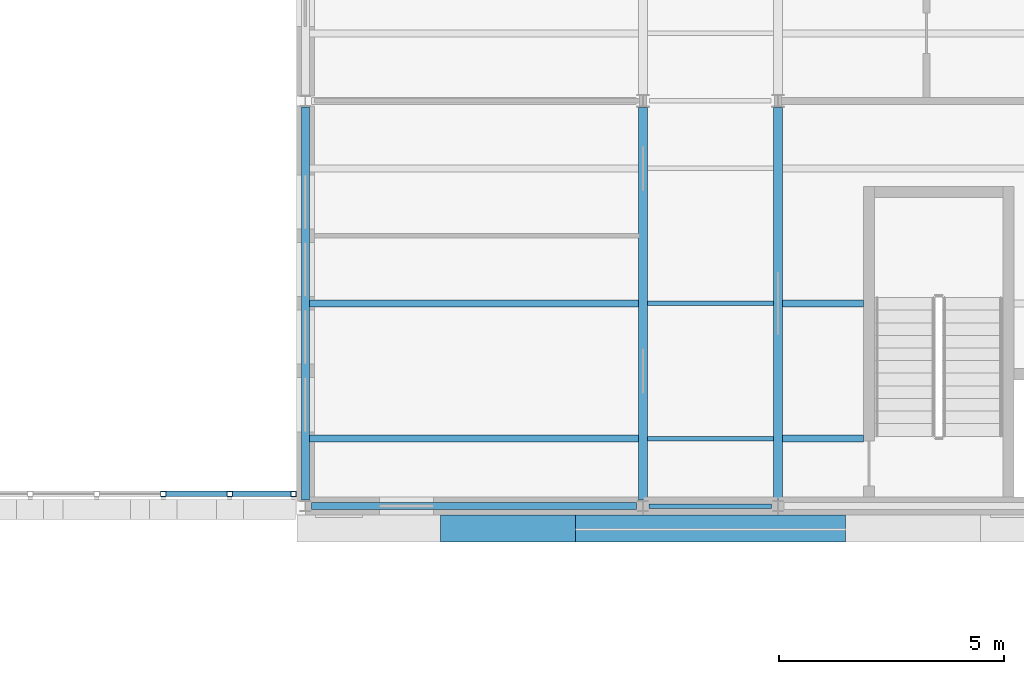
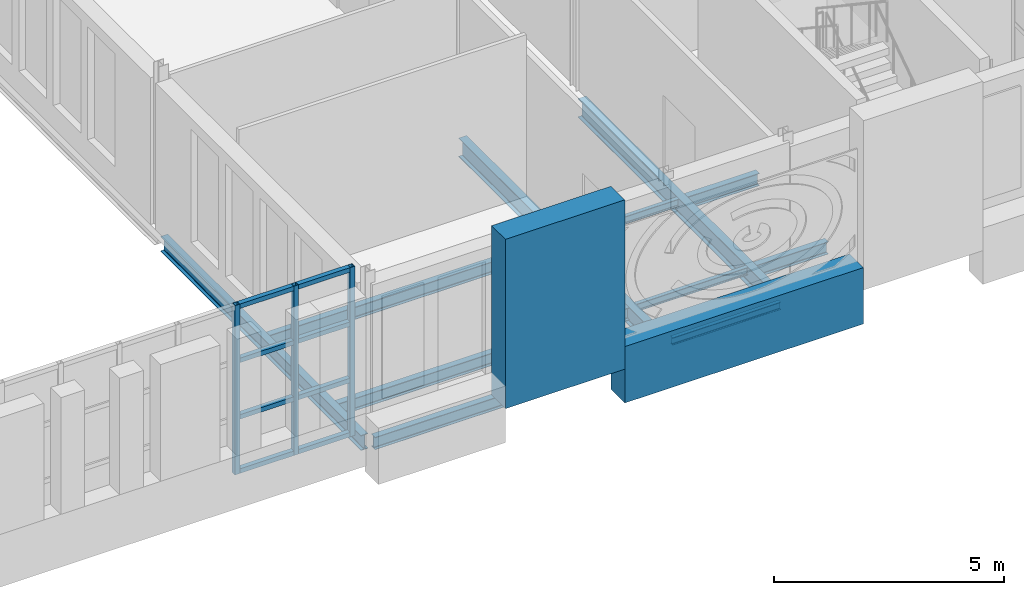
# One storey, part 32 of 131: 12 beams, 12 members, 1 element without a shape of its own.
"""IFC4 building model written with IfcOpenShell, lengths in metres."""

from ifc_helpers import new_model, si_unit, direction, frame, origin, origin_2d, place, context, subcontext, project, spatial, rectangle, hollow_rectangle, i_section, extrude, material, material_profile, profile_set, type_object, element, aggregate, save


model = new_model("IFC4")

# Units and contexts
model_context = context("Model", 3, precision=1e-05, world=origin(), true_north=direction((0.0, 1.0)))
body_context = subcontext(model_context, "Body", "Model", "MODEL_VIEW")
ifc_project = project(units=[si_unit("LENGTHUNIT", "METRE"), si_unit("AREAUNIT", "SQUARE_METRE"), si_unit("VOLUMEUNIT", "CUBIC_METRE"), si_unit("PLANEANGLEUNIT", "RADIAN"), si_unit("MASSUNIT", "GRAM", prefix="KILO")], contexts=[model_context])

# Site, building, storey
site_placement = place(None, origin())
site = spatial("IfcSite", under=ifc_project, at=site_placement, CompositionType="ELEMENT")
building_placement = place(site_placement, origin())
building = spatial("IfcBuilding", under=site, at=building_placement, Name="Golden Quay Civic Hall", CompositionType="ELEMENT")
storey_placement = place(building_placement, frame((0.0, 0.0, 9.89990234375)))
storey = spatial("IfcBuildingStorey", under=building, at=storey_placement, Name="L02", CompositionType="ELEMENT", Elevation=9.89990234375)

# Member
ifc_material_1 = material(Name="Concrete C40/50", Category="concrete")
ifc_material_profile_1 = material_profile(ifc_material_1, rectangle(XDim=3.0, YDim=0.60009765625, at=origin_2d()), Name="RC 3000x600")
ifc_profile_set_1 = profile_set([ifc_material_profile_1], Name="Concrete C40/50")
member_type_1 = type_object("IfcMemberType", Name="Precast concrete facade pier 3000 x 600", PredefinedType="POST", material=ifc_profile_set_1)
member_1_placement = place(storey_placement, frame((103.5, -0.5, 0.0), z_axis=(0.0, 0.0, 1.0), x_axis=(1.0, 0.0, 0.0)))
element("IfcMember", 1, at=member_1_placement, inside=storey, type_object=member_type_1, Name="Precast concrete facade pier 3000 x 600 L02 33", PredefinedType="POST", context=body_context, shape_type="SweptSolid", body=[
    extrude(rectangle(XDim=3.0, YDim=0.60009765625, at=origin_2d()), origin(), (0.0, 0.0, 1.0), 4.5),
])

# Beams
ifc_material_2 = material(Name="Concrete C40/50", Category="concrete")
ifc_material_profile_2 = material_profile(ifc_material_2, rectangle(XDim=0.60009765625, YDim=1.5, at=origin_2d()), Name="RC 600x1500")
ifc_profile_set_2 = profile_set([ifc_material_profile_2], Name="Concrete C40/50")
beam_type_1 = type_object("IfcBeamType", Name="Precast concrete spandrel beam 600 x 1500", PredefinedType="SPANDREL", material=ifc_profile_set_2)
beam_1_placement = place(storey_placement, frame((105.0, -0.5, -0.14990234375), z_axis=(1.0, 0.0, 0.0), x_axis=(0.0, 1.0, 0.0)))
element("IfcBeam", 2, at=beam_1_placement, inside=storey, type_object=beam_type_1, Name="Precast concrete spandrel beam 600 x 1500 L02 30", PredefinedType="SPANDREL", context=body_context, shape_type="SweptSolid", body=[
    extrude(rectangle(XDim=0.60009765625, YDim=1.5, at=origin_2d()), origin(), (0.0, 0.0, 1.0), 6.0),
])
ifc_material_3 = material(Name="Steel S355", Category="steel")
ifc_material_profile_3 = material_profile(ifc_material_3, i_section(OverallWidth=0.10009765625, OverallDepth=0.199951171875, WebThickness=0.005615234375, FlangeThickness=0.008544921875, FilletRadius=0.011962890625, at=origin_2d()), Name="IPE 200")
ifc_profile_set_3 = profile_set([ifc_material_profile_3], Name="Steel S355")
beam_type_2 = type_object("IfcBeamType", Name="Steel beam IPE 200", PredefinedType="BEAM", material=ifc_profile_set_3)
beam_2_placement = place(storey_placement, frame((106.639892578125, 0.0, -0.2998046875), z_axis=(1.0, 0.0, 0.0), x_axis=(0.0, 1.0, 0.0)))
element("IfcBeam", 3, at=beam_2_placement, inside=storey, type_object=beam_type_2, Name="Beam S0-106.5", PredefinedType="BEAM", context=body_context, shape_type="SweptSolid", body=[
    extrude(i_section(OverallWidth=0.10009765625, OverallDepth=0.199951171875, WebThickness=0.005615234375, FlangeThickness=0.008544921875, FilletRadius=0.011962890625, at=origin_2d()), origin(), (0.0, 0.0, 1.0), 2.72021484375),
])
ifc_material_4 = material(Name="Steel S355", Category="steel")
ifc_material_profile_4 = material_profile(ifc_material_4, i_section(OverallWidth=0.159912109375, OverallDepth=0.330078125, WebThickness=0.007568359375, FlangeThickness=0.011474609375, FilletRadius=0.01806640625, at=origin_2d()), Name="IPE 330")
ifc_profile_set_4 = profile_set([ifc_material_profile_4], Name="Steel S355")
beam_type_3 = type_object("IfcBeamType", Name="Steel beam IPE 330", PredefinedType="BEAM", material=ifc_profile_set_4)
beam_3_placement = place(storey_placement, frame((99.139892578125, 0.0, -0.364990234375), z_axis=(1.0, 0.0, 0.0), x_axis=(0.0, 1.0, 0.0)))
element("IfcBeam", 4, at=beam_3_placement, inside=storey, type_object=beam_type_3, Name="Beam S0-99", PredefinedType="BEAM", context=body_context, shape_type="SweptSolid", body=[
    extrude(i_section(OverallWidth=0.159912109375, OverallDepth=0.330078125, WebThickness=0.007568359375, FlangeThickness=0.011474609375, FilletRadius=0.01806640625, at=origin_2d()), origin(), (0.0, 0.0, 1.0), 7.22021484375),
])
ifc_material_5 = material(Name="Steel S355", Category="steel")
ifc_material_profile_5 = material_profile(ifc_material_5, i_section(OverallWidth=0.179931640625, OverallDepth=0.39990234375, WebThickness=0.008544921875, FlangeThickness=0.013427734375, FilletRadius=0.02099609375, at=origin_2d()), Name="IPE 400")
ifc_profile_set_5 = profile_set([ifc_material_profile_5], Name="Steel S355")
beam_type_4 = type_object("IfcBeamType", Name="Steel beam IPE 400", PredefinedType="BEAM", material=ifc_profile_set_5)
beam_4_placement = place(storey_placement, frame((99.0, 0.135009765625, -0.39990234375), z_axis=(0.0, 1.0, 0.0), x_axis=(-1.0, 0.0, 0.0)))
element("IfcBeam", 5, at=beam_4_placement, inside=storey, type_object=beam_type_4, Name="Beam L99-0", PredefinedType="BEAM", context=body_context, shape_type="SweptSolid", body=[
    extrude(i_section(OverallWidth=0.179931640625, OverallDepth=0.39990234375, WebThickness=0.008544921875, FlangeThickness=0.013427734375, FilletRadius=0.02099609375, at=origin_2d()), origin(), (0.0, 0.0, 1.0), 8.72998046875),
])
ifc_material_6 = material(Name="Steel S355", Category="steel")
ifc_material_profile_6 = material_profile(ifc_material_6, i_section(OverallWidth=0.199951171875, OverallDepth=0.5, WebThickness=0.01025390625, FlangeThickness=0.01611328125, FilletRadius=0.02099609375, at=origin_2d()), Name="IPE 500")
ifc_profile_set_6 = profile_set([ifc_material_profile_6], Name="Steel S355")
beam_type_5 = type_object("IfcBeamType", Name="Steel beam IPE 500", PredefinedType="BEAM", material=ifc_profile_set_6)
for number, where, z_axis, x_axis, name in (
    (6, (106.5, 0.135009765625, -0.449951171875), (0.0, 1.0, 0.0), (-1.0, 0.0, 0.0), "Beam L106.5-0"),
    (7, (109.5, 0.135009765625, -0.449951171875), (0.0, 1.0, 0.0), (-1.0, 0.0, 0.0), "Beam L109.5-0"),
):
    element("IfcBeam", number, at=place(storey_placement, frame(where, z_axis=z_axis, x_axis=x_axis)), inside=storey, type_object=beam_type_5, Name=name, PredefinedType="BEAM", context=body_context, shape_type="SweptSolid", body=[
        extrude(i_section(OverallWidth=0.199951171875, OverallDepth=0.5, WebThickness=0.01025390625, FlangeThickness=0.01611328125, FilletRadius=0.02099609375, at=origin_2d()), origin(), (0.0, 0.0, 1.0), 8.719970703125),
    ])
ifc_material_7 = material(Name="Steel S355", Category="steel")
ifc_material_profile_7 = material_profile(ifc_material_7, i_section(OverallWidth=0.10009765625, OverallDepth=0.199951171875, WebThickness=0.005615234375, FlangeThickness=0.008544921875, FilletRadius=0.011962890625, at=origin_2d()), Name="IPE 200")
ifc_profile_set_7 = profile_set([ifc_material_profile_7], Name="Steel S355")
beam_type_6 = type_object("IfcBeamType", Name="Steel joist IPE 200", PredefinedType="JOIST", material=ifc_profile_set_7)
for number, where, z_axis, x_axis, name in (
    (8, (106.60009765625, 1.5, -0.2998046875), (1.0, 0.0, 0.0), (0.0, 1.0, 0.0), "Joist J1.5-106.5"),
    (9, (106.60009765625, 4.5, -0.2998046875), (1.0, 0.0, 0.0), (0.0, 1.0, 0.0), "Joist J4.5-106.5"),
):
    element("IfcBeam", number, at=place(storey_placement, frame(where, z_axis=z_axis, x_axis=x_axis)), inside=storey, type_object=beam_type_6, Name=name, PredefinedType="JOIST", context=body_context, shape_type="SweptSolid", body=[
        extrude(i_section(OverallWidth=0.10009765625, OverallDepth=0.199951171875, WebThickness=0.005615234375, FlangeThickness=0.008544921875, FilletRadius=0.011962890625, at=origin_2d()), origin(), (0.0, 0.0, 1.0), 2.7998046875),
    ])
ifc_material_8 = material(Name="Steel S355", Category="steel")
ifc_material_profile_8 = material_profile(ifc_material_8, i_section(OverallWidth=0.159912109375, OverallDepth=0.330078125, WebThickness=0.007568359375, FlangeThickness=0.011474609375, FilletRadius=0.01806640625, at=origin_2d()), Name="IPE 330")
ifc_profile_set_8 = profile_set([ifc_material_profile_8], Name="Steel S355")
beam_type_7 = type_object("IfcBeamType", Name="Steel joist IPE 330", PredefinedType="JOIST", material=ifc_profile_set_8)
beam_5_placement = place(storey_placement, frame((99.090087890625, 1.5, -0.364990234375), z_axis=(1.0, 0.0, 0.0), x_axis=(0.0, 1.0, 0.0)))
element("IfcBeam", 10, at=beam_5_placement, inside=storey, type_object=beam_type_7, Name="Joist J1.5-99", PredefinedType="JOIST", context=body_context, shape_type="SweptSolid", body=[
    extrude(i_section(OverallWidth=0.159912109375, OverallDepth=0.330078125, WebThickness=0.007568359375, FlangeThickness=0.011474609375, FilletRadius=0.01806640625, at=origin_2d()), origin(), (0.0, 0.0, 1.0), 7.309814453125),
])
beam_6_placement = place(storey_placement, frame((109.60009765625, 1.5, -0.364990234375), z_axis=(1.0, 0.0, 0.0), x_axis=(0.0, 1.0, 0.0)))
element("IfcBeam", 11, at=beam_6_placement, inside=storey, type_object=beam_type_7, Name="Joist J1.5-109.5-0", PredefinedType="JOIST", context=body_context, shape_type="SweptSolid", body=[
    extrude(i_section(OverallWidth=0.159912109375, OverallDepth=0.330078125, WebThickness=0.007568359375, FlangeThickness=0.011474609375, FilletRadius=0.01806640625, at=origin_2d()), origin(), (0.0, 0.0, 1.0), 1.7998046875),
])
beam_7_placement = place(storey_placement, frame((99.090087890625, 4.5, -0.364990234375), z_axis=(1.0, 0.0, 0.0), x_axis=(0.0, 1.0, 0.0)))
element("IfcBeam", 12, at=beam_7_placement, inside=storey, type_object=beam_type_7, Name="Joist J4.5-99", PredefinedType="JOIST", context=body_context, shape_type="SweptSolid", body=[
    extrude(i_section(OverallWidth=0.159912109375, OverallDepth=0.330078125, WebThickness=0.007568359375, FlangeThickness=0.011474609375, FilletRadius=0.01806640625, at=origin_2d()), origin(), (0.0, 0.0, 1.0), 7.309814453125),
])
beam_8_placement = place(storey_placement, frame((109.60009765625, 4.5, -0.364990234375), z_axis=(1.0, 0.0, 0.0), x_axis=(0.0, 1.0, 0.0)))
element("IfcBeam", 13, at=beam_8_placement, inside=storey, type_object=beam_type_7, Name="Joist J4.5-109.5-0", PredefinedType="JOIST", context=body_context, shape_type="SweptSolid", body=[
    extrude(i_section(OverallWidth=0.159912109375, OverallDepth=0.330078125, WebThickness=0.007568359375, FlangeThickness=0.011474609375, FilletRadius=0.01806640625, at=origin_2d()), origin(), (0.0, 0.0, 1.0), 1.7998046875),
])

# Curtain wall, members
ifc_material_9 = material(Name="Glass and aluminium", Category="aluminium")
curtain_wall_type = type_object("IfcCurtainWallType", Name="Glazed curtain wall 1500 module", PredefinedType="NOTDEFINED", material=ifc_material_9)
curtain_wall_placement = place(storey_placement, origin())
curtain_wall = element("IfcCurtainWall", 14, at=curtain_wall_placement, inside=storey, type_object=curtain_wall_type, Name="CW1 curtain wall", PredefinedType="NOTDEFINED")
ifc_material_10 = material(Name="Steel S355", Category="steel")
ifc_material_profile_9 = material_profile(ifc_material_10, hollow_rectangle(XDim=0.1201171875, YDim=0.1201171875, WallThickness=0.008056640625, at=origin_2d()), Name="SHS 120x120x8")
ifc_profile_set_9 = profile_set([ifc_material_profile_9], Name="Steel S355")
member_type_2 = type_object("IfcMemberType", Name="Steel mullion SHS 120x120x8", PredefinedType="MULLION", material=ifc_profile_set_9)
member_2_placement = place(storey_placement, frame((95.844482421875, 0.27001953125, -0.199951171875), z_axis=(0.0, 0.0, 1.0), x_axis=(0.0, 1.0, 0.0)))
member_2 = element("IfcMember", 15, at=member_2_placement, type_object=member_type_2, Name="CW1 mullion 17", PredefinedType="MULLION", context=body_context, shape_type="SweptSolid", body=[
    extrude(hollow_rectangle(XDim=0.1201171875, YDim=0.1201171875, WallThickness=0.008056640625, at=origin_2d()), origin(), (0.0, 0.0, 1.0), 4.5),
])
member_3_placement = place(storey_placement, frame((97.322265625, 0.27001953125, -0.199951171875), z_axis=(0.0, 0.0, 1.0), x_axis=(0.0, 1.0, 0.0)))
member_3 = element("IfcMember", 16, at=member_3_placement, type_object=member_type_2, Name="CW1 mullion 18", PredefinedType="MULLION", context=body_context, shape_type="SweptSolid", body=[
    extrude(hollow_rectangle(XDim=0.1201171875, YDim=0.1201171875, WallThickness=0.008056640625, at=origin_2d()), origin(), (0.0, 0.0, 1.0), 4.5),
])
member_4_placement = place(storey_placement, frame((98.739990234375, 0.27001953125, -0.199951171875), z_axis=(0.0, 0.0, 1.0), x_axis=(0.0, 1.0, 0.0)))
member_4 = element("IfcMember", 17, at=member_4_placement, type_object=member_type_2, Name="CW1 mullion 19", PredefinedType="MULLION", context=body_context, shape_type="SweptSolid", body=[
    extrude(hollow_rectangle(XDim=0.1201171875, YDim=0.1201171875, WallThickness=0.008056640625, at=origin_2d()), origin(), (0.0, 0.0, 1.0), 4.5),
])
ifc_material_11 = material(Name="Steel S355", Category="steel")
ifc_material_profile_10 = material_profile(ifc_material_11, hollow_rectangle(XDim=0.1201171875, YDim=0.1201171875, WallThickness=0.008056640625, at=origin_2d()), Name="SHS 120x120x8")
ifc_profile_set_10 = profile_set([ifc_material_profile_10], Name="Steel S355")
member_type_3 = type_object("IfcMemberType", Name="Steel transom SHS 120x120x8", PredefinedType="USERDEFINED", material=ifc_profile_set_10)
member_5_placement = place(storey_placement, frame((95.904541015625, 0.27001953125, -0.139892578125), z_axis=(1.0, 0.0, 0.0), x_axis=(0.0, 1.0, 0.0)))
member_5 = element("IfcMember", 18, at=member_5_placement, type_object=member_type_3, Name="CW1 transom 17.1", ObjectType="TRANSOM", PredefinedType="USERDEFINED", context=body_context, shape_type="SweptSolid", body=[
    extrude(hollow_rectangle(XDim=0.1201171875, YDim=0.1201171875, WallThickness=0.008056640625, at=origin_2d()), origin(), (0.0, 0.0, 1.0), 1.357666015625),
])
member_6_placement = place(storey_placement, frame((95.904541015625, 0.27001953125, 1.300048828125), z_axis=(1.0, 0.0, 0.0), x_axis=(0.0, 1.0, 0.0)))
member_6 = element("IfcMember", 19, at=member_6_placement, type_object=member_type_3, Name="CW1 transom 17.2", ObjectType="TRANSOM", PredefinedType="USERDEFINED", context=body_context, shape_type="SweptSolid", body=[
    extrude(hollow_rectangle(XDim=0.1201171875, YDim=0.1201171875, WallThickness=0.008056640625, at=origin_2d()), origin(), (0.0, 0.0, 1.0), 1.357666015625),
])
member_7_placement = place(storey_placement, frame((95.904541015625, 0.27001953125, 2.800048828125), z_axis=(1.0, 0.0, 0.0), x_axis=(0.0, 1.0, 0.0)))
member_7 = element("IfcMember", 20, at=member_7_placement, type_object=member_type_3, Name="CW1 transom 17.3", ObjectType="TRANSOM", PredefinedType="USERDEFINED", context=body_context, shape_type="SweptSolid", body=[
    extrude(hollow_rectangle(XDim=0.1201171875, YDim=0.1201171875, WallThickness=0.008056640625, at=origin_2d()), origin(), (0.0, 0.0, 1.0), 1.357666015625),
])
member_8_placement = place(storey_placement, frame((95.904541015625, 0.27001953125, 4.239990234375), z_axis=(1.0, 0.0, 0.0), x_axis=(0.0, 1.0, 0.0)))
member_8 = element("IfcMember", 21, at=member_8_placement, type_object=member_type_3, Name="CW1 transom 17.4", ObjectType="TRANSOM", PredefinedType="USERDEFINED", context=body_context, shape_type="SweptSolid", body=[
    extrude(hollow_rectangle(XDim=0.1201171875, YDim=0.1201171875, WallThickness=0.008056640625, at=origin_2d()), origin(), (0.0, 0.0, 1.0), 1.357666015625),
])
member_9_placement = place(storey_placement, frame((97.38232421875, 0.27001953125, -0.139892578125), z_axis=(1.0, 0.0, 0.0), x_axis=(0.0, 1.0, 0.0)))
member_9 = element("IfcMember", 22, at=member_9_placement, type_object=member_type_3, Name="CW1 transom 18.1", ObjectType="TRANSOM", PredefinedType="USERDEFINED", context=body_context, shape_type="SweptSolid", body=[
    extrude(hollow_rectangle(XDim=0.1201171875, YDim=0.1201171875, WallThickness=0.008056640625, at=origin_2d()), origin(), (0.0, 0.0, 1.0), 1.297607421875),
])
member_10_placement = place(storey_placement, frame((97.38232421875, 0.27001953125, 1.300048828125), z_axis=(1.0, 0.0, 0.0), x_axis=(0.0, 1.0, 0.0)))
member_10 = element("IfcMember", 23, at=member_10_placement, type_object=member_type_3, Name="CW1 transom 18.2", ObjectType="TRANSOM", PredefinedType="USERDEFINED", context=body_context, shape_type="SweptSolid", body=[
    extrude(hollow_rectangle(XDim=0.1201171875, YDim=0.1201171875, WallThickness=0.008056640625, at=origin_2d()), origin(), (0.0, 0.0, 1.0), 1.297607421875),
])
member_11_placement = place(storey_placement, frame((97.38232421875, 0.27001953125, 2.800048828125), z_axis=(1.0, 0.0, 0.0), x_axis=(0.0, 1.0, 0.0)))
member_11 = element("IfcMember", 24, at=member_11_placement, type_object=member_type_3, Name="CW1 transom 18.3", ObjectType="TRANSOM", PredefinedType="USERDEFINED", context=body_context, shape_type="SweptSolid", body=[
    extrude(hollow_rectangle(XDim=0.1201171875, YDim=0.1201171875, WallThickness=0.008056640625, at=origin_2d()), origin(), (0.0, 0.0, 1.0), 1.297607421875),
])
member_12_placement = place(storey_placement, frame((97.38232421875, 0.27001953125, 4.239990234375), z_axis=(1.0, 0.0, 0.0), x_axis=(0.0, 1.0, 0.0)))
member_12 = element("IfcMember", 25, at=member_12_placement, type_object=member_type_3, Name="CW1 transom 18.4", ObjectType="TRANSOM", PredefinedType="USERDEFINED", context=body_context, shape_type="SweptSolid", body=[
    extrude(hollow_rectangle(XDim=0.1201171875, YDim=0.1201171875, WallThickness=0.008056640625, at=origin_2d()), origin(), (0.0, 0.0, 1.0), 1.297607421875),
])
aggregate(curtain_wall, [member_2, member_3, member_4, member_5, member_6, member_7, member_8, member_9, member_10, member_11, member_12])

save(model, "model.ifc")
